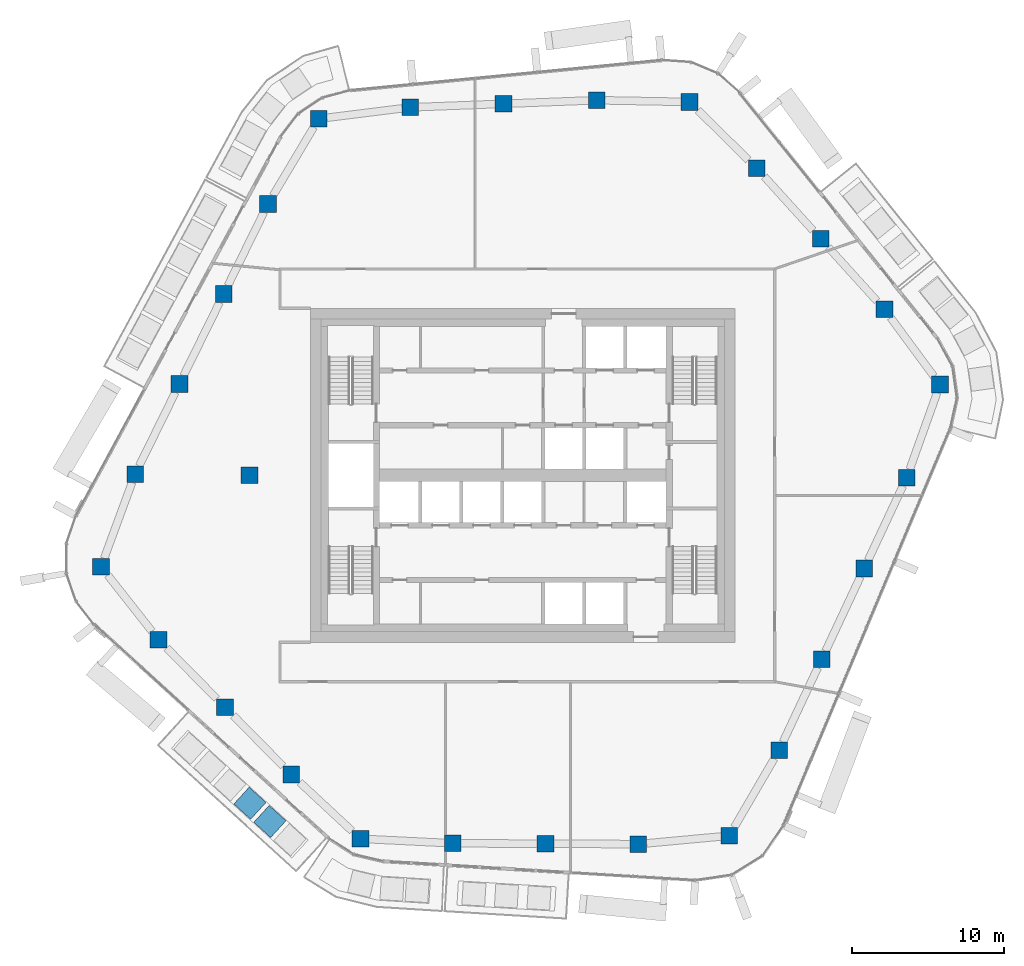
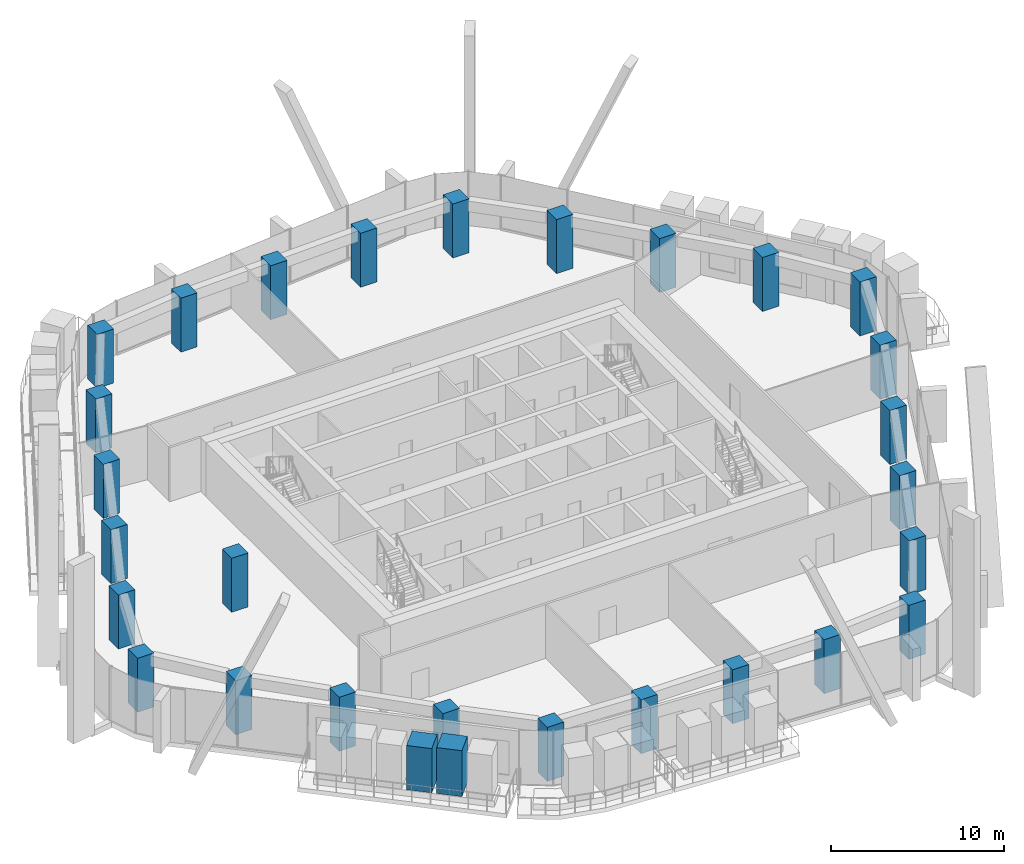
# One storey, part 1 of 20: 27 columns, 2 members.
"""IFC4 building model written with IfcOpenShell, lengths in metres."""

from ifc_helpers import new_model, si_unit, direction, frame, origin, origin_2d, place, context, subcontext, project, spatial, rectangle, extrude, material, material_profile, profile_set, type_object, element, save


model = new_model("IFC4")

# Units and contexts
model_context = context("Model", 3, precision=1e-05, world=origin(), true_north=direction((0.0, 1.0)))
body_context = subcontext(model_context, "Body", "Model", "MODEL_VIEW")
ifc_project = project(units=[si_unit("LENGTHUNIT", "METRE"), si_unit("AREAUNIT", "SQUARE_METRE"), si_unit("VOLUMEUNIT", "CUBIC_METRE"), si_unit("PLANEANGLEUNIT", "RADIAN"), si_unit("MASSUNIT", "GRAM", prefix="KILO")], contexts=[model_context])

# Site, building, storey
site_placement = place(None, origin())
site = spatial("IfcSite", under=ifc_project, at=site_placement, CompositionType="ELEMENT")
building_placement = place(site_placement, origin())
building = spatial("IfcBuilding", under=site, at=building_placement, Name="Dongbaek Canopy Tower", CompositionType="ELEMENT")
storey_placement = place(building_placement, frame((0.0, 0.0, 253.800048828125)))
storey = spatial("IfcBuildingStorey", under=building, at=storey_placement, Name="L53", CompositionType="ELEMENT", Elevation=253.800048828125)

# Columns
ifc_material_1 = material(Name="Concrete C70", Category="concrete")
ifc_material_profile_1 = material_profile(ifc_material_1, rectangle(XDim=1.10009765625, YDim=1.10009765625, at=origin_2d()), Name="RC COLUMN 1100x1100 C70")
ifc_profile_set_1 = profile_set([ifc_material_profile_1], Name="Concrete C70")
column_type = type_object("IfcColumnType", Name="RC COLUMN 1100x1100 C70", PredefinedType="COLUMN", material=ifc_profile_set_1)
for number, where, z_axis, x_axis, name in (
    (1, (13.612060546875, -23.74609375, 0.0), (0.0, 0.0, 1.0), (1.0, 0.0, 0.0), "COL:CZ4-01:L53"),
    (2, (7.615966796875, -24.300048828125, 0.0), (0.0, 0.0, 1.0), (1.0, 0.0, 0.0), "COL:CZ4-02:L53"),
    (3, (1.501953125, -24.27197265625, 0.0), (0.0, 0.0, 1.0), (1.0, 0.0, 0.0), "COL:CZ4-03:L53"),
    (4, (-4.611083984375, -24.24609375, 0.0), (0.0, 0.0, 1.0), (1.0, 0.0, 0.0), "COL:CZ4-04:L53"),
    (5, (-10.697021484375, -23.946044921875, 0.0), (0.0, 0.0, 1.0), (1.0, 0.0, 0.0), "COL:CZ4-05:L53"),
    (6, (-15.2470703125, -19.714111328125, 0.0), (0.0, 0.0, 1.0), (1.0, 0.0, 0.0), "COL:CZ4-06:L53"),
    (7, (-19.6220703125, -15.27197265625, 0.0), (0.0, 0.0, 1.0), (1.0, 0.0, 0.0), "COL:CZ4-07:L53"),
    (8, (-23.9970703125, -10.8291015625, 0.0), (0.0, 0.0, 1.0), (1.0, 0.0, 0.0), "COL:CZ4-08:L53"),
    (9, (-27.781982421875, -6.02001953125, 0.0), (0.0, 0.0, 1.0), (1.0, 0.0, 0.0), "COL:CZ4-09:L53"),
    (10, (-25.5400390625, 0.075927734375, 0.0), (0.0, 0.0, 1.0), (1.0, 0.0, 0.0), "COL:CZ4-10:L53"),
    (11, (-22.62109375, 6.010986328125, 0.0), (0.0, 0.0, 1.0), (1.0, 0.0, 0.0), "COL:CZ4-11:L53"),
    (12, (-19.701904296875, 11.945068359375, 0.0), (0.0, 0.0, 1.0), (1.0, 0.0, 0.0), "COL:CZ4-12:L53"),
    (13, (-16.783935546875, 17.8779296875, 0.0), (0.0, 0.0, 1.0), (1.0, 0.0, 0.0), "COL:CZ4-13:L53"),
    (14, (-13.44189453125, 23.490966796875, 0.0), (0.0, 0.0, 1.0), (1.0, 0.0, 0.0), "COL:CZ4-14:L53"),
    (15, (-7.4150390625, 24.242919921875, 0.0), (0.0, 0.0, 1.0), (1.0, 0.0, 0.0), "COL:CZ4-15:L53"),
    (16, (-1.26611328125, 24.47900390625, 0.0), (0.0, 0.0, 1.0), (1.0, 0.0, 0.0), "COL:CZ4-16:L53"),
    (17, (4.883056640625, 24.714111328125, 0.0), (0.0, 0.0, 1.0), (1.0, 0.0, 0.0), "COL:CZ4-17:L53"),
    (18, (10.989990234375, 24.59912109375, 0.0), (0.0, 0.0, 1.0), (1.0, 0.0, 0.0), "COL:CZ4-18:L53"),
    (19, (15.41796875, 20.22900390625, 0.0), (0.0, 0.0, 1.0), (1.0, 0.0, 0.0), "COL:CZ4-19:L53"),
    (20, (19.625, 15.583984375, 0.0), (0.0, 0.0, 1.0), (1.0, 0.0, 0.0), "COL:CZ4-20:L53"),
    (21, (23.8310546875, 10.93896484375, 0.0), (0.0, 0.0, 1.0), (1.0, 0.0, 0.0), "COL:CZ4-21:L53"),
    (22, (27.491943359375, 5.97705078125, 0.0), (0.0, 0.0, 1.0), (1.0, 0.0, 0.0), "COL:CZ4-22:L53"),
    (23, (25.302001953125, -0.152099609375, 0.0), (0.0, 0.0, 1.0), (1.0, 0.0, 0.0), "COL:CZ4-23:L53"),
    (24, (22.4990234375, -6.138916015625, 0.0), (0.0, 0.0, 1.0), (1.0, 0.0, 0.0), "COL:CZ4-24:L53"),
    (25, (19.695068359375, -12.126953125, 0.0), (0.0, 0.0, 1.0), (1.0, 0.0, 0.0), "COL:CZ4-25:L53"),
    (26, (16.889892578125, -18.114013671875, 0.0), (0.0, 0.0, 1.0), (1.0, 0.0, 0.0), "COL:CZ4-26:L53"),
    (27, (-18.0, 0.0, 0.0), (0.0, 0.0, 1.0), (1.0, 0.0, 0.0), "COL:CIZ4-01:L53"),
):
    element("IfcColumn", number, at=place(storey_placement, frame(where, z_axis=z_axis, x_axis=x_axis)), inside=storey, type_object=column_type, Name=name, PredefinedType="COLUMN", context=body_context, shape_type="SweptSolid", body=[
        extrude(rectangle(XDim=1.10009765625, YDim=1.10009765625, at=origin_2d()), origin(), (0.0, 0.0, 1.0), 3.820068359375),
    ])

# Members
ifc_material_2 = material(Name="Concrete C40/50 planter mass with planting", Category="concrete")
ifc_material_profile_2 = material_profile(ifc_material_2, rectangle(XDim=1.5, YDim=1.5, at=origin_2d()), Name="Terrace PLANTER shrub mass 1500 x 1500")
ifc_profile_set_2 = profile_set([ifc_material_profile_2], Name="Concrete C40/50 planter mass with planting")
member_type = type_object("IfcMemberType", Name="Terrace PLANTER shrub mass 1500 x 1500", PredefinedType="USERDEFINED", material=ifc_profile_set_2)
member_1_placement = place(storey_placement, frame((-17.978759765625, -21.60546875, 0.419921875), z_axis=(0.0, 0.0, 1.0), x_axis=(-0.673879336739, -0.738841417028, 0.0)))
element("IfcMember", 28, at=member_1_placement, inside=storey, type_object=member_type, Name="Planter shrubs L53 3.4", ObjectType="PLANTER", PredefinedType="USERDEFINED", context=body_context, shape_type="SweptSolid", body=[
    extrude(rectangle(XDim=1.5, YDim=1.5, at=origin_2d()), origin(), (0.0, 0.0, 1.0), 3.130126953125),
])
member_2_placement = place(storey_placement, frame((-16.658447265625, -22.8095703125, 0.419921875), z_axis=(0.0, 0.0, 1.0), x_axis=(-0.673879336739, -0.738841417028, 0.0)))
element("IfcMember", 29, at=member_2_placement, inside=storey, type_object=member_type, Name="Planter shrubs L53 3.5", ObjectType="PLANTER", PredefinedType="USERDEFINED", context=body_context, shape_type="SweptSolid", body=[
    extrude(rectangle(XDim=1.5, YDim=1.5, at=origin_2d()), origin(), (0.0, 0.0, 1.0), 3.25),
])

save(model, "model.ifc")
